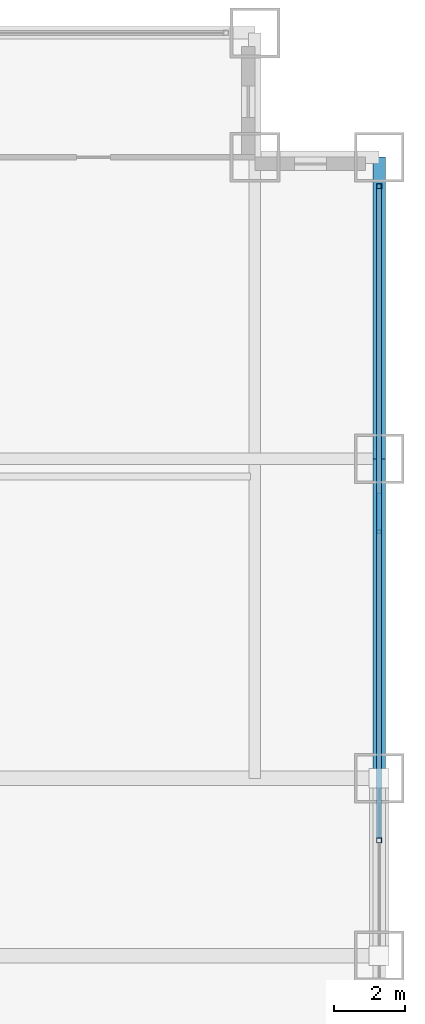
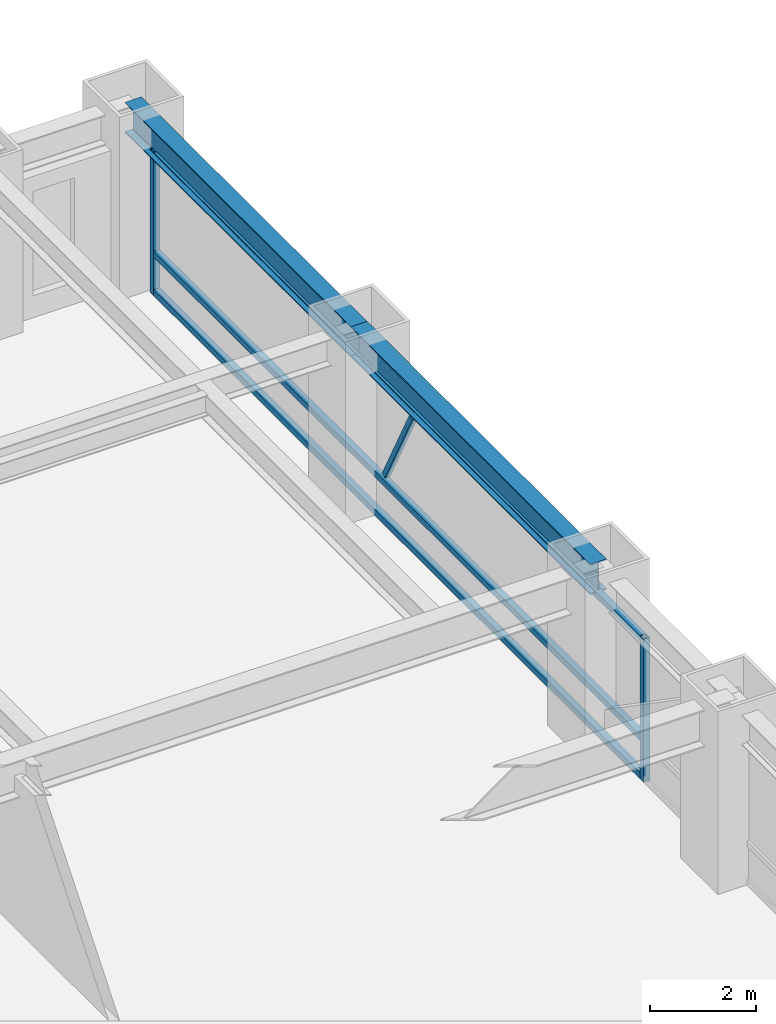
# One storey, part 18 of 27: 6 members, 2 beams, 1 element without a shape of its own.
"""IFC4 building model written with IfcOpenShell, lengths in metres."""

import ifcopenshell
import ifcopenshell.guid

model = None  # the IFC model being written
_history = None  # IfcOwnerHistory: only IFC2X3 demands one
_inside = {}  # id of a spatial element -> (the spatial element, [elements in it])
_under = {}  # id of a project, library or spatial element -> (it, [spatial elements below it])
_declared = {}  # id of a project -> (the project, [libraries it declares])
_typed = {}  # id of a type object -> (the type object, [elements of that type])
_made_of = {}  # id of a material, layer set ... -> (it, [elements and type objects made of it])


def new_model(schema):
    """Start an empty IFC model of exactly this schema.

    Asked for "IFC4X3", IfcOpenShell would pick the latest addendum, in which some entities
    have other attributes; the version numbers below select the first issue.
    IFC2X3 requires an IfcOwnerHistory on every rooted entity: one is made here for all.
    """
    global model, _history
    if schema == "IFC4X3":
        model = ifcopenshell.file(schema_version=(4, 3, 0, 0))
    else:
        model = ifcopenshell.file(schema=schema)
    _inside.clear()
    _under.clear()
    _declared.clear()
    _typed.clear()
    _made_of.clear()
    _history = None
    if model.schema == "IFC2X3":
        org = make("IfcOrganization", Name="unknown")
        user = make(
            "IfcPersonAndOrganization",
            ThePerson=make("IfcPerson", FamilyName="unknown"),
            TheOrganization=org,
        )
        app = make(
            "IfcApplication",
            ApplicationDeveloper=org,
            Version="unknown",
            ApplicationFullName="unknown",
            ApplicationIdentifier="unknown",
        )
        _history = make(
            "IfcOwnerHistory",
            OwningUser=user,
            OwningApplication=app,
            ChangeAction="ADDED",
            CreationDate=0,
        )
    return model


def make(cls, **values):
    """One entity of the class cls with the attributes given. An attribute that is None is left unset."""
    return model.create_entity(
        cls, **{name: value for name, value in values.items() if value is not None}
    )


def rooted(cls, **values):
    """An entity with a GlobalId (a new one), such as an element, a storey or a relation."""
    return make(cls, GlobalId=ifcopenshell.guid.new(), OwnerHistory=_history, **values)


def si_unit(unit_type, name, prefix=None):
    """IfcSIUnit, for example si_unit("LENGTHUNIT", "METRE", prefix="MILLI")."""
    return make("IfcSIUnit", UnitType=unit_type, Prefix=prefix, Name=name)


def assignment(units):
    """IfcUnitAssignment: the units of a project."""
    return None if units is None else make("IfcUnitAssignment", Units=units)


def point(xyz):
    """IfcCartesianPoint."""
    return None if xyz is None else make("IfcCartesianPoint", Coordinates=xyz)


def direction(xyz):
    """IfcDirection."""
    return None if xyz is None else make("IfcDirection", DirectionRatios=xyz)


def frame(location, z_axis=None, x_axis=None):
    """IfcAxis2Placement3D, a coordinate frame: its origin and axes. An axis left out is left unset."""
    return make(
        "IfcAxis2Placement3D",
        Location=point(location),
        Axis=direction(z_axis),
        RefDirection=direction(x_axis),
    )


def frame_2d(location, x_axis=None):
    """IfcAxis2Placement2D, a coordinate frame in the plane: its origin and x axis."""
    return make(
        "IfcAxis2Placement2D", Location=point(location), RefDirection=direction(x_axis)
    )


def origin():
    """The frame at (0, 0, 0) with its axes left unset."""
    return frame((0.0, 0.0, 0.0))


def origin_2d():
    """The frame at (0, 0) in the plane with its x axis left unset."""
    return frame_2d((0.0, 0.0))


def place(relative_to, where):
    """IfcLocalPlacement: puts the frame where relative to a parent placement (None: the world)."""
    return make(
        "IfcLocalPlacement", PlacementRelTo=relative_to, RelativePlacement=where
    )


def context(
    kind, dimensions, precision=None, world=None, true_north=None, identifier=None
):
    """IfcGeometricRepresentationContext, for example the 3D "Model" context."""
    return make(
        "IfcGeometricRepresentationContext",
        ContextIdentifier=identifier,
        ContextType=kind,
        CoordinateSpaceDimension=dimensions,
        Precision=precision,
        WorldCoordinateSystem=world,
        TrueNorth=true_north,
    )


def subcontext(parent, identifier, kind, view, scale=None):
    """IfcGeometricRepresentationSubContext, for example "Body" below "Model"."""
    return make(
        "IfcGeometricRepresentationSubContext",
        ContextIdentifier=identifier,
        ContextType=kind,
        ParentContext=parent,
        TargetScale=scale,
        TargetView=view,
    )


def project(units=None, contexts=None):
    """IfcProject with its units and contexts."""
    return rooted(
        "IfcProject",
        Name="project",
        RepresentationContexts=contexts,
        UnitsInContext=assignment(units),
    )


def spatial(cls, under=None, at=None, **own):
    """A site, building, storey or space (cls), placed at a placement, below another one or the project."""
    s = rooted(cls, ObjectPlacement=at, **own)
    if under is not None:
        _under.setdefault(under.id(), (under, []))[1].append(s)
    return s


def profile(cls, at=None, kind="AREA", **sizes):
    """A parametric profile (cls). Its sizes go by their IFC names, for example OverallWidth=200.0."""
    return make(cls, ProfileType=kind, Position=at, **sizes)


def hollow_rectangle(**sizes):
    """IfcRectangleHollowProfileDef."""
    return profile("IfcRectangleHollowProfileDef", **sizes)


def i_section(**sizes):
    """IfcIShapeProfileDef."""
    return profile("IfcIShapeProfileDef", **sizes)


def extrude(swept, where, along, depth):
    """IfcExtrudedAreaSolid: the profile swept, set in the frame where, extruded along a direction by depth."""
    return make(
        "IfcExtrudedAreaSolid",
        SweptArea=swept,
        Position=where,
        ExtrudedDirection=direction(along),
        Depth=depth,
    )


def shape(context_of_items, identifier, shape_type, items):
    """IfcShapeRepresentation: the items that make up one representation, for example the "Body"."""
    return make(
        "IfcShapeRepresentation",
        ContextOfItems=context_of_items,
        RepresentationIdentifier=identifier,
        RepresentationType=shape_type,
        Items=items,
    )


def source(mapping_origin, context_of_items, identifier, shape_type, items):
    """IfcRepresentationMap: a shape defined once, which mapped items show again and again."""
    return make(
        "IfcRepresentationMap",
        MappingOrigin=mapping_origin,
        MappedRepresentation=shape(context_of_items, identifier, shape_type, items),
    )


def transform(
    local_origin,
    x_axis=None,
    y_axis=None,
    z_axis=None,
    scale=None,
    scale2=None,
    scale3=None,
    uniform=True,
):
    """IfcCartesianTransformationOperator3D, or its non-uniform kind. x_axis, y_axis, z_axis: its Axis1, 2, 3."""
    if uniform:
        return make(
            "IfcCartesianTransformationOperator3D",
            Axis1=direction(x_axis),
            Axis2=direction(y_axis),
            LocalOrigin=point(local_origin),
            Scale=scale,
            Axis3=direction(z_axis),
        )
    return make(
        "IfcCartesianTransformationOperator3DnonUniform",
        Axis1=direction(x_axis),
        Axis2=direction(y_axis),
        LocalOrigin=point(local_origin),
        Scale=scale,
        Axis3=direction(z_axis),
        Scale2=scale2,
        Scale3=scale3,
    )


def mapped(mapping_source, mapping_target):
    """IfcMappedItem: shows the shape of a source again, moved by a transform."""
    return make(
        "IfcMappedItem", MappingSource=mapping_source, MappingTarget=mapping_target
    )


def material(Name=None, Category=None):
    """IfcMaterial."""
    return make("IfcMaterial", Name=Name, Category=Category)


def material_profile(
    of_material, cross_section, Name=None, Category=None, Priority=None
):
    """IfcMaterialProfile: a cross section and its material."""
    return make(
        "IfcMaterialProfile",
        Name=Name,
        Material=of_material,
        Profile=cross_section,
        Priority=Priority,
        Category=Category,
    )


def profile_set(profiles, Name=None, composite=None):
    """IfcMaterialProfileSet."""
    return make(
        "IfcMaterialProfileSet",
        Name=Name,
        MaterialProfiles=profiles,
        CompositeProfile=composite,
    )


def made_of(thing, what):
    """Note that an element or type object is made of a material, layer set ...; save() writes the relation."""
    if what is not None:
        _made_of.setdefault(what.id(), (what, []))[1].append(thing)
    return thing


def type_object(cls, material=None, **own):
    """A type object (cls), such as IfcWallType, which elements share."""
    return made_of(rooted(cls, **own), material)


def element(
    cls,
    number,
    at=None,
    inside=None,
    cuts=None,
    type_object=None,
    material=None,
    context=None,
    identifier="Body",
    shape_type=None,
    held_by="IfcProductDefinitionShape",
    body=None,
    shapes=None,
    **own,
):
    """One element of the class cls, such as IfcWall. Its Tag is "e" and its number.

    at: its placement. inside: the storey or other place that contains it. cuts: it is an
    opening in that element (IfcRelVoidsElement). A single representation is given by context,
    identifier, shape_type and body (its items); several are given by shapes. held_by: the class
    of the entity that holds the representations. save() writes the other relations.
    """
    e = rooted(cls, Tag="e%d" % number, ObjectPlacement=at, **own)
    if body is not None:
        shapes = [shape(context, identifier, shape_type, body)]
    if shapes is not None:
        e.Representation = make(held_by, Representations=shapes)
    if inside is not None:
        _inside.setdefault(inside.id(), (inside, []))[1].append(e)
    if cuts is not None:
        rooted(
            "IfcRelVoidsElement", RelatingBuildingElement=cuts, RelatedOpeningElement=e
        )
    if type_object is not None:
        _typed.setdefault(type_object.id(), (type_object, []))[1].append(e)
    return made_of(e, material)


def aggregate(whole, parts):
    """IfcRelAggregates: a whole, such as a stair, and the parts it consists of."""
    return rooted("IfcRelAggregates", RelatingObject=whole, RelatedObjects=parts)


def save(model, path):
    """Write the relations noted so far, then the file.

    IfcRelAggregates (storeys below a building ...), IfcRelContainedInSpatialStructure (elements
    in a storey), IfcRelDefinesByType, IfcRelAssociatesMaterial and IfcRelDeclares: one each for
    every whole, place, type object, material and project.
    """
    for whole, parts in _under.values():
        aggregate(whole, parts)
    for where, things in _inside.values():
        rooted(
            "IfcRelContainedInSpatialStructure",
            RelatedElements=things,
            RelatingStructure=where,
        )
    for kind, things in _typed.values():
        rooted("IfcRelDefinesByType", RelatedObjects=things, RelatingType=kind)
    for what, things in _made_of.values():
        rooted("IfcRelAssociatesMaterial", RelatedObjects=things, RelatingMaterial=what)
    for by, libraries in _declared.values():
        rooted("IfcRelDeclares", RelatingContext=by, RelatedDefinitions=libraries)
    model.write(path)


model = new_model("IFC4")

# Units and contexts
model_context = context("Model", 3, precision=1e-05, world=origin(), true_north=direction((0.0, 1.0)))
body_context = subcontext(model_context, "Body", "Model", "MODEL_VIEW")
ifc_project = project(units=[si_unit("LENGTHUNIT", "METRE"), si_unit("AREAUNIT", "SQUARE_METRE"), si_unit("VOLUMEUNIT", "CUBIC_METRE"), si_unit("PLANEANGLEUNIT", "RADIAN"), si_unit("MASSUNIT", "GRAM", prefix="KILO")], contexts=[model_context])

# Site, building, storey
site_placement = place(None, origin())
site = spatial("IfcSite", under=ifc_project, at=site_placement, CompositionType="ELEMENT")
building_placement = place(site_placement, origin())
building = spatial("IfcBuilding", under=site, at=building_placement, Name="Khorayat Bourse Tower", CompositionType="ELEMENT")
storey_placement = place(building_placement, frame((0.0, 0.0, 49.39990234375)))
storey = spatial("IfcBuildingStorey", under=building, at=storey_placement, Name="L10", CompositionType="ELEMENT", Elevation=49.39990234375)

# Beams
ifc_material_1 = material(Name="Steel ASTM A992 Grade 50", Category="steel")
ifc_material_profile_1 = material_profile(ifc_material_1, i_section(OverallWidth=0.35498046875, OverallDepth=0.695068359375, WebThickness=0.015380859375, FlangeThickness=0.02490234375, FilletRadius=0.01806640625, at=origin_2d()), Name="W690X217")
ifc_profile_set_1 = profile_set([ifc_material_profile_1], Name="Steel ASTM A992 Grade 50")
beam_type = type_object("IfcBeamType", Name="BM-SPAN-690", PredefinedType="SPANDREL", material=ifc_profile_set_1)
shared_shape_1 = source(origin(), body_context, "Body", "SweptSolid", [
    extrude(i_section(OverallWidth=0.35498046875, OverallDepth=0.695068359375, WebThickness=0.015380859375, FlangeThickness=0.02490234375, FilletRadius=0.01806640625, at=origin_2d()), origin(), (0.0, 0.0, 1.0), 8.5),
])
beam_1_placement = place(storey_placement, frame((32.0, 20.0, 3.592529296875), z_axis=(0.0, 1.0, 0.0), x_axis=(-1.0, 0.0, 0.0)))
element("IfcBeam", 1, at=beam_1_placement, inside=storey, type_object=beam_type, Name="L10 BM-SPAN-690 BM-L10-SPN-041", PredefinedType="SPANDREL", context=body_context, shape_type="MappedRepresentation", body=[
    mapped(shared_shape_1, transform((0.0, 0.0, 0.0), scale=1.0)),
])
shared_shape_2 = source(origin(), body_context, "Body", "SweptSolid", [
    extrude(i_section(OverallWidth=0.35498046875, OverallDepth=0.695068359375, WebThickness=0.015380859375, FlangeThickness=0.02490234375, FilletRadius=0.01806640625, at=origin_2d()), origin(), (0.0, 0.0, 1.0), 9.0),
])
beam_2_placement = place(storey_placement, frame((32.0, 11.0, 3.592529296875), z_axis=(0.0, 1.0, 0.0), x_axis=(-1.0, 0.0, 0.0)))
element("IfcBeam", 2, at=beam_2_placement, inside=storey, type_object=beam_type, Name="L10 BM-SPAN-690 BM-L10-SPN-040", PredefinedType="SPANDREL", context=body_context, shape_type="MappedRepresentation", body=[
    mapped(shared_shape_2, transform((0.0, 0.0, 0.0), scale=1.0)),
])

# Curtain wall, members
ifc_material_2 = material(Name="Aluminium EN AW-6063 T6", Category="aluminium")
curtain_wall_type = type_object("IfcCurtainWallType", Name="CW-SYS-02", PredefinedType="NOTDEFINED", material=ifc_material_2)
curtain_wall_placement = place(storey_placement, origin())
curtain_wall = element("IfcCurtainWall", 3, at=curtain_wall_placement, inside=storey, type_object=curtain_wall_type, Name="L10 Curtain Wall CW-L10-E1", PredefinedType="NOTDEFINED")
ifc_material_profile_2 = material_profile(ifc_material_2, hollow_rectangle(XDim=0.139892578125, YDim=0.139892578125, WallThickness=0.006103515625, at=origin_2d()), Name="ALU 140x140x6")
ifc_profile_set_2 = profile_set([ifc_material_profile_2], Name="Aluminium EN AW-6063 T6")
member_type_1 = type_object("IfcMemberType", Name="CWT-HORZ-140", PredefinedType="USERDEFINED", material=ifc_profile_set_2)
shared_shape_3 = source(origin(), body_context, "Body", "SweptSolid", [
    extrude(hollow_rectangle(XDim=0.139892578125, YDim=0.139892578125, WallThickness=0.006103515625, at=origin_2d()), origin(), (0.0, 0.0, 1.0), 18.2900390625),
])
member_1_placement = place(storey_placement, frame((32.0, 9.320068359375, 0.070068359375), z_axis=(0.0, 1.0, 0.0), x_axis=(-1.0, 0.0, 0.0)))
member_1 = element("IfcMember", 4, at=member_1_placement, type_object=member_type_1, Name="CW-L10-E1 Horizontal Transom 3-1", ObjectType="TRANSOM", PredefinedType="USERDEFINED", context=body_context, shape_type="MappedRepresentation", body=[
    mapped(shared_shape_3, transform((0.0, 0.0, 0.0), scale=1.0)),
])
member_2_placement = place(storey_placement, frame((32.0, 9.320068359375, 0.9501953125), z_axis=(0.0, 1.0, 0.0), x_axis=(-1.0, 0.0, 0.0)))
member_2 = element("IfcMember", 5, at=member_2_placement, type_object=member_type_1, Name="CW-L10-E1 Horizontal Transom 3-2", ObjectType="TRANSOM", PredefinedType="USERDEFINED", context=body_context, shape_type="MappedRepresentation", body=[
    mapped(shared_shape_3, transform((0.0, 0.0, 0.0), scale=1.0)),
])
member_3_placement = place(storey_placement, frame((32.0, 9.320068359375, 3.22021484375), z_axis=(0.0, 1.0, 0.0), x_axis=(-1.0, 0.0, 0.0)))
member_3 = element("IfcMember", 6, at=member_3_placement, type_object=member_type_1, Name="CW-L10-E1 Horizontal Transom 3-3", ObjectType="TRANSOM", PredefinedType="USERDEFINED", context=body_context, shape_type="MappedRepresentation", body=[
    mapped(shared_shape_3, transform((0.0, 0.0, 0.0), scale=1.0)),
])
ifc_material_profile_3 = material_profile(ifc_material_2, hollow_rectangle(XDim=0.1201171875, YDim=0.1201171875, WallThickness=0.0048828125, at=origin_2d()), Name="ALU 120x120x5")
ifc_profile_set_3 = profile_set([ifc_material_profile_3], Name="Aluminium EN AW-6063 T6")
member_type_2 = type_object("IfcMemberType", Name="CWM-DIAG-120", PredefinedType="MULLION", material=ifc_profile_set_3)
shared_shape_4 = source(origin(), body_context, "Body", "SweptSolid", [
    extrude(hollow_rectangle(XDim=0.1201171875, YDim=0.1201171875, WallThickness=0.0048828125, at=origin_2d()), origin(), (0.0, 0.0, 1.0), 2.22607421875),
])
member_4_placement = place(storey_placement, frame((32.0, 18.9833984375, 1.10009765625), z_axis=(0.0, -0.465759992596, 0.884911085532), x_axis=(1.0, 0.0, 0.0)))
member_4 = element("IfcMember", 7, at=member_4_placement, type_object=member_type_2, Name="CW-L10-E1 Faceted Diagonal Mullion 3", PredefinedType="MULLION", context=body_context, shape_type="MappedRepresentation", body=[
    mapped(shared_shape_4, transform((0.0, 0.0, 0.0), scale=1.0)),
])
ifc_material_profile_4 = material_profile(ifc_material_2, hollow_rectangle(XDim=0.139892578125, YDim=0.139892578125, WallThickness=0.006103515625, at=origin_2d()), Name="ALU 140x140x6")
ifc_profile_set_4 = profile_set([ifc_material_profile_4], Name="Aluminium EN AW-6063 T6")
member_type_3 = type_object("IfcMemberType", Name="CWM-VERT-140", PredefinedType="MULLION", material=ifc_profile_set_4)
shared_shape_5 = source(origin(), body_context, "Body", "SweptSolid", [
    extrude(hollow_rectangle(XDim=0.139892578125, YDim=0.139892578125, WallThickness=0.006103515625, at=origin_2d()), origin(), (0.0, 0.0, 1.0), 3.2900390625),
])
member_5_placement = place(storey_placement, frame((32.0, 9.25, 0.0), z_axis=(0.0, 0.0, 1.0), x_axis=(-1.0, 0.0, 0.0)))
member_5 = element("IfcMember", 8, at=member_5_placement, type_object=member_type_3, Name="CW-L10-E1 Vertical Mullion 3", PredefinedType="MULLION", context=body_context, shape_type="MappedRepresentation", body=[
    mapped(shared_shape_5, transform((0.0, 0.0, 0.0), scale=1.0)),
])
member_6_placement = place(storey_placement, frame((32.0, 27.679931640625, 0.0), z_axis=(0.0, 0.0, 1.0), x_axis=(-1.0, 0.0, 0.0)))
member_6 = element("IfcMember", 9, at=member_6_placement, type_object=member_type_3, Name="CW-L10-E1 Vertical Mullion 4", PredefinedType="MULLION", context=body_context, shape_type="MappedRepresentation", body=[
    mapped(shared_shape_5, transform((0.0, 0.0, 0.0), scale=1.0)),
])
aggregate(curtain_wall, [member_5, member_6, member_1, member_2, member_3, member_4])

save(model, "model.ifc")
